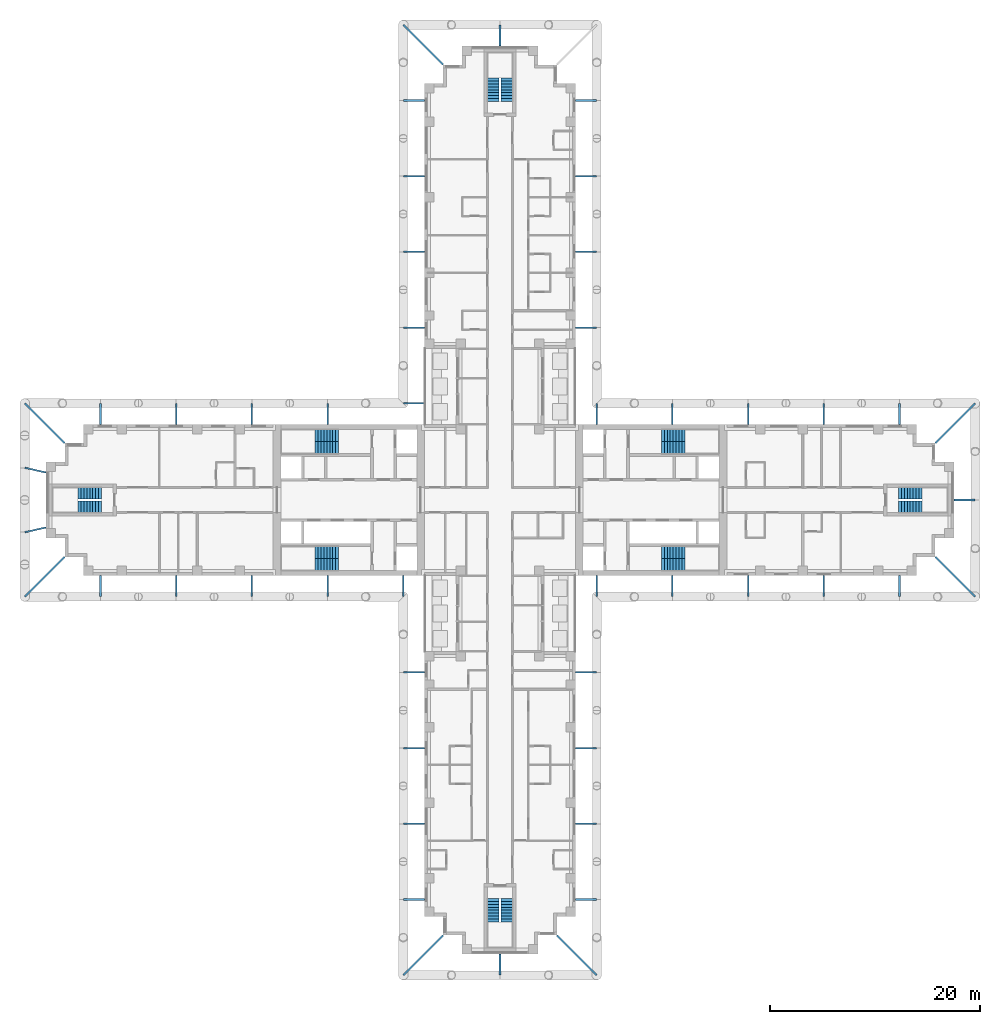
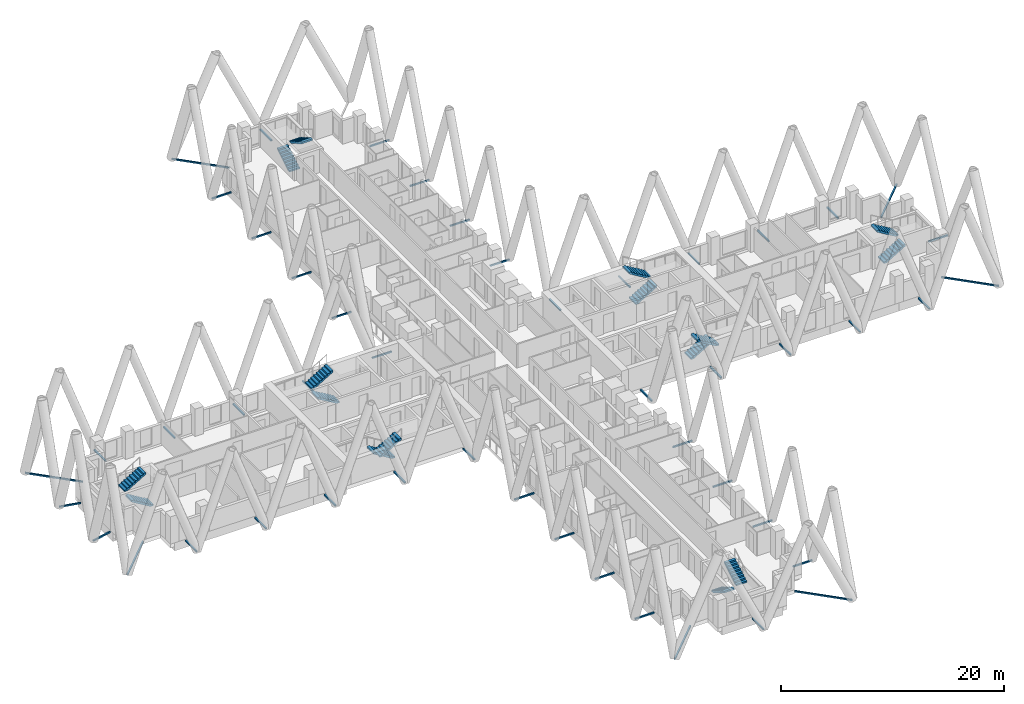
# One storey, part 14 of 17: 48 discrete accessories, 16 stair flights, 8 elements without a shape of their own.
"""IFC4 building model written with IfcOpenShell, lengths in metres."""

from ifc_helpers import new_model, si_unit, direction, frame, origin, origin_2d, place, context, subcontext, project, spatial, polyline, hollow_rectangle, outline, extrude, material, type_object, element, aggregate, save


model = new_model("IFC4")

# Units and contexts
model_context = context("Model", 3, precision=1e-05, world=origin(), true_north=direction((0.0, 1.0)))
body_context = subcontext(model_context, "Body", "Model", "MODEL_VIEW")
ifc_project = project(units=[si_unit("LENGTHUNIT", "METRE"), si_unit("AREAUNIT", "SQUARE_METRE"), si_unit("VOLUMEUNIT", "CUBIC_METRE"), si_unit("PLANEANGLEUNIT", "RADIAN"), si_unit("MASSUNIT", "GRAM", prefix="KILO")], contexts=[model_context])

# Site, building, storey
site_placement = place(None, origin())
site = spatial("IfcSite", under=ifc_project, at=site_placement, CompositionType="ELEMENT")
building_placement = place(site_placement, origin())
building = spatial("IfcBuilding", under=site, at=building_placement, Name="Fustian Cross Tower", CompositionType="ELEMENT")
storey_placement = place(building_placement, frame((0.0, 0.0, 56.699951171875)))
storey = spatial("IfcBuildingStorey", under=building, at=storey_placement, Name="L17", CompositionType="ELEMENT", Elevation=56.699951171875)

# Stair, stair flights
ifc_material_1 = material(Name="Concrete C50/60", Category="concrete")
stair_type_1 = type_object("IfcStairType", Name="STAIR 1100 HALF TURN", PredefinedType="HALF_TURN_STAIR", material=ifc_material_1)
stair_1_placement = place(storey_placement, origin())
stair_1 = element("IfcStair", 1, at=stair_1_placement, inside=storey, type_object=stair_type_1, Name="Stair ST5", PredefinedType="HALF_TURN_STAIR")
ifc_material_2 = material(Name="Concrete C50/60", Category="concrete")
stair_flight_type_1 = type_object("IfcStairFlightType", Name="STAIR FLIGHT 1100", PredefinedType="STRAIGHT", material=ifc_material_2)
stair_flight_1_placement = place(storey_placement, frame((-0.64990234375, 37.89990234375, 0.0), z_axis=(0.0, 0.0, 1.0), x_axis=(0.0, 1.0, 0.0)))
stair_flight_1 = element("IfcStairFlight", 2, at=stair_flight_1_placement, type_object=stair_flight_type_1, Name="ST5 flight 1", NumberOfRisers=9, NumberOfTreads=8, PredefinedType="STRAIGHT", RiserHeight=0.166666667, TreadLength=0.28, context=body_context, shape_type="SweptSolid", body=[
    extrude(outline(polyline([(0.0, 0.0), (0.0, 0.166748046875), (0.280029296875, 0.166748046875), (0.280029296875, 0.333251953125), (0.56005859375, 0.333251953125), (0.56005859375, 0.5), (0.840087890625, 0.5), (0.840087890625, 0.666748046875), (1.1201171875, 0.666748046875), (1.1201171875, 0.833251953125), (1.39990234375, 0.833251953125), (1.39990234375, 1.0), (1.679931640625, 1.0), (1.679931640625, 1.166748046875), (1.9599609375, 1.166748046875), (1.9599609375, 1.333251953125), (2.239990234375, 1.333251953125), (2.239990234375, 1.5), (2.239990234375, 1.158935546875), (0.29296875, 0.0), (0.0, 0.0)])), frame((0.0, 0.550048828125, 0.0), z_axis=(0.0, -1.0, 0.0), x_axis=(1.0, 0.0, 0.0)), (0.0, 0.0, 1.0), 1.10009765625),
])
stair_flight_2_placement = place(storey_placement, frame((0.64990234375, 40.139892578125, 1.5), z_axis=(0.0, 0.0, 1.0), x_axis=(0.0, -1.0, 0.0)))
stair_flight_2 = element("IfcStairFlight", 3, at=stair_flight_2_placement, type_object=stair_flight_type_1, Name="ST5 flight 2", NumberOfRisers=9, NumberOfTreads=8, PredefinedType="STRAIGHT", RiserHeight=0.166666667, TreadLength=0.28, context=body_context, shape_type="SweptSolid", body=[
    extrude(outline(polyline([(0.0, 0.0), (0.0, 0.166748046875), (0.280029296875, 0.166748046875), (0.280029296875, 0.333251953125), (0.56005859375, 0.333251953125), (0.56005859375, 0.5), (0.840087890625, 0.5), (0.840087890625, 0.666748046875), (1.1201171875, 0.666748046875), (1.1201171875, 0.833251953125), (1.39990234375, 0.833251953125), (1.39990234375, 1.0), (1.679931640625, 1.0), (1.679931640625, 1.166748046875), (1.9599609375, 1.166748046875), (1.9599609375, 1.333251953125), (2.239990234375, 1.333251953125), (2.239990234375, 1.5), (2.239990234375, 1.158935546875), (0.29296875, 0.0), (0.0, 0.0)])), frame((0.0, 0.550048828125, 0.0), z_axis=(0.0, -1.0, 0.0), x_axis=(1.0, 0.0, 0.0)), (0.0, 0.0, 1.0), 1.10009765625),
])
aggregate(stair_1, [stair_flight_1, stair_flight_2])

stair_2_placement = place(storey_placement, origin())
stair_2 = element("IfcStair", 4, at=stair_2_placement, inside=storey, type_object=stair_type_1, Name="Stair ST6", PredefinedType="HALF_TURN_STAIR")
stair_flight_3_placement = place(storey_placement, frame((-0.64990234375, -37.89990234375, 0.0), z_axis=(0.0, 0.0, 1.0), x_axis=(0.0, -1.0, 0.0)))
stair_flight_3 = element("IfcStairFlight", 5, at=stair_flight_3_placement, type_object=stair_flight_type_1, Name="ST6 flight 1", NumberOfRisers=9, NumberOfTreads=8, PredefinedType="STRAIGHT", RiserHeight=0.166666667, TreadLength=0.28, context=body_context, shape_type="SweptSolid", body=[
    extrude(outline(polyline([(0.0, 0.0), (0.0, 0.166748046875), (0.280029296875, 0.166748046875), (0.280029296875, 0.333251953125), (0.56005859375, 0.333251953125), (0.56005859375, 0.5), (0.840087890625, 0.5), (0.840087890625, 0.666748046875), (1.1201171875, 0.666748046875), (1.1201171875, 0.833251953125), (1.39990234375, 0.833251953125), (1.39990234375, 1.0), (1.679931640625, 1.0), (1.679931640625, 1.166748046875), (1.9599609375, 1.166748046875), (1.9599609375, 1.333251953125), (2.239990234375, 1.333251953125), (2.239990234375, 1.5), (2.239990234375, 1.158935546875), (0.29296875, 0.0), (0.0, 0.0)])), frame((0.0, 0.550048828125, 0.0), z_axis=(0.0, -1.0, 0.0), x_axis=(1.0, 0.0, 0.0)), (0.0, 0.0, 1.0), 1.10009765625),
])
stair_flight_4_placement = place(storey_placement, frame((0.64990234375, -40.139892578125, 1.5), z_axis=(0.0, 0.0, 1.0), x_axis=(0.0, 1.0, 0.0)))
stair_flight_4 = element("IfcStairFlight", 6, at=stair_flight_4_placement, type_object=stair_flight_type_1, Name="ST6 flight 2", NumberOfRisers=9, NumberOfTreads=8, PredefinedType="STRAIGHT", RiserHeight=0.166666667, TreadLength=0.28, context=body_context, shape_type="SweptSolid", body=[
    extrude(outline(polyline([(0.0, 0.0), (0.0, 0.166748046875), (0.280029296875, 0.166748046875), (0.280029296875, 0.333251953125), (0.56005859375, 0.333251953125), (0.56005859375, 0.5), (0.840087890625, 0.5), (0.840087890625, 0.666748046875), (1.1201171875, 0.666748046875), (1.1201171875, 0.833251953125), (1.39990234375, 0.833251953125), (1.39990234375, 1.0), (1.679931640625, 1.0), (1.679931640625, 1.166748046875), (1.9599609375, 1.166748046875), (1.9599609375, 1.333251953125), (2.239990234375, 1.333251953125), (2.239990234375, 1.5), (2.239990234375, 1.158935546875), (0.29296875, 0.0), (0.0, 0.0)])), frame((0.0, 0.550048828125, 0.0), z_axis=(0.0, -1.0, 0.0), x_axis=(1.0, 0.0, 0.0)), (0.0, 0.0, 1.0), 1.10009765625),
])
aggregate(stair_2, [stair_flight_3, stair_flight_4])

stair_3_placement = place(storey_placement, origin())
stair_3 = element("IfcStair", 7, at=stair_3_placement, inside=storey, type_object=stair_type_1, Name="Stair ST8", PredefinedType="HALF_TURN_STAIR")
stair_flight_5_placement = place(storey_placement, frame((37.89990234375, -0.64990234375, 0.0), z_axis=(0.0, 0.0, 1.0), x_axis=(1.0, 0.0, 0.0)))
stair_flight_5 = element("IfcStairFlight", 8, at=stair_flight_5_placement, type_object=stair_flight_type_1, Name="ST8 flight 1", NumberOfRisers=9, NumberOfTreads=8, PredefinedType="STRAIGHT", RiserHeight=0.166666667, TreadLength=0.28, context=body_context, shape_type="SweptSolid", body=[
    extrude(outline(polyline([(0.0, 0.0), (0.0, 0.166748046875), (0.280029296875, 0.166748046875), (0.280029296875, 0.333251953125), (0.56005859375, 0.333251953125), (0.56005859375, 0.5), (0.840087890625, 0.5), (0.840087890625, 0.666748046875), (1.1201171875, 0.666748046875), (1.1201171875, 0.833251953125), (1.39990234375, 0.833251953125), (1.39990234375, 1.0), (1.679931640625, 1.0), (1.679931640625, 1.166748046875), (1.9599609375, 1.166748046875), (1.9599609375, 1.333251953125), (2.239990234375, 1.333251953125), (2.239990234375, 1.5), (2.239990234375, 1.158935546875), (0.29296875, 0.0), (0.0, 0.0)])), frame((0.0, 0.550048828125, 0.0), z_axis=(0.0, -1.0, 0.0), x_axis=(1.0, 0.0, 0.0)), (0.0, 0.0, 1.0), 1.10009765625),
])
stair_flight_6_placement = place(storey_placement, frame((40.139892578125, 0.64990234375, 1.5), z_axis=(0.0, 0.0, 1.0), x_axis=(-1.0, 0.0, 0.0)))
stair_flight_6 = element("IfcStairFlight", 9, at=stair_flight_6_placement, type_object=stair_flight_type_1, Name="ST8 flight 2", NumberOfRisers=9, NumberOfTreads=8, PredefinedType="STRAIGHT", RiserHeight=0.166666667, TreadLength=0.28, context=body_context, shape_type="SweptSolid", body=[
    extrude(outline(polyline([(0.0, 0.0), (0.0, 0.166748046875), (0.280029296875, 0.166748046875), (0.280029296875, 0.333251953125), (0.56005859375, 0.333251953125), (0.56005859375, 0.5), (0.840087890625, 0.5), (0.840087890625, 0.666748046875), (1.1201171875, 0.666748046875), (1.1201171875, 0.833251953125), (1.39990234375, 0.833251953125), (1.39990234375, 1.0), (1.679931640625, 1.0), (1.679931640625, 1.166748046875), (1.9599609375, 1.166748046875), (1.9599609375, 1.333251953125), (2.239990234375, 1.333251953125), (2.239990234375, 1.5), (2.239990234375, 1.158935546875), (0.29296875, 0.0), (0.0, 0.0)])), frame((0.0, 0.550048828125, 0.0), z_axis=(0.0, -1.0, 0.0), x_axis=(1.0, 0.0, 0.0)), (0.0, 0.0, 1.0), 1.10009765625),
])
aggregate(stair_3, [stair_flight_5, stair_flight_6])

stair_4_placement = place(storey_placement, origin())
stair_4 = element("IfcStair", 10, at=stair_4_placement, inside=storey, type_object=stair_type_1, Name="Stair ST9", PredefinedType="HALF_TURN_STAIR")
stair_flight_7_placement = place(storey_placement, frame((-37.89990234375, -0.64990234375, 0.0), z_axis=(0.0, 0.0, 1.0), x_axis=(-1.0, 0.0, 0.0)))
stair_flight_7 = element("IfcStairFlight", 11, at=stair_flight_7_placement, type_object=stair_flight_type_1, Name="ST9 flight 1", NumberOfRisers=9, NumberOfTreads=8, PredefinedType="STRAIGHT", RiserHeight=0.166666667, TreadLength=0.28, context=body_context, shape_type="SweptSolid", body=[
    extrude(outline(polyline([(0.0, 0.0), (0.0, 0.166748046875), (0.280029296875, 0.166748046875), (0.280029296875, 0.333251953125), (0.56005859375, 0.333251953125), (0.56005859375, 0.5), (0.840087890625, 0.5), (0.840087890625, 0.666748046875), (1.1201171875, 0.666748046875), (1.1201171875, 0.833251953125), (1.39990234375, 0.833251953125), (1.39990234375, 1.0), (1.679931640625, 1.0), (1.679931640625, 1.166748046875), (1.9599609375, 1.166748046875), (1.9599609375, 1.333251953125), (2.239990234375, 1.333251953125), (2.239990234375, 1.5), (2.239990234375, 1.158935546875), (0.29296875, 0.0), (0.0, 0.0)])), frame((0.0, 0.550048828125, 0.0), z_axis=(0.0, -1.0, 0.0), x_axis=(1.0, 0.0, 0.0)), (0.0, 0.0, 1.0), 1.10009765625),
])
stair_flight_8_placement = place(storey_placement, frame((-40.139892578125, 0.64990234375, 1.5), z_axis=(0.0, 0.0, 1.0), x_axis=(1.0, 0.0, 0.0)))
stair_flight_8 = element("IfcStairFlight", 12, at=stair_flight_8_placement, type_object=stair_flight_type_1, Name="ST9 flight 2", NumberOfRisers=9, NumberOfTreads=8, PredefinedType="STRAIGHT", RiserHeight=0.166666667, TreadLength=0.28, context=body_context, shape_type="SweptSolid", body=[
    extrude(outline(polyline([(0.0, 0.0), (0.0, 0.166748046875), (0.280029296875, 0.166748046875), (0.280029296875, 0.333251953125), (0.56005859375, 0.333251953125), (0.56005859375, 0.5), (0.840087890625, 0.5), (0.840087890625, 0.666748046875), (1.1201171875, 0.666748046875), (1.1201171875, 0.833251953125), (1.39990234375, 0.833251953125), (1.39990234375, 1.0), (1.679931640625, 1.0), (1.679931640625, 1.166748046875), (1.9599609375, 1.166748046875), (1.9599609375, 1.333251953125), (2.239990234375, 1.333251953125), (2.239990234375, 1.5), (2.239990234375, 1.158935546875), (0.29296875, 0.0), (0.0, 0.0)])), frame((0.0, 0.550048828125, 0.0), z_axis=(0.0, -1.0, 0.0), x_axis=(1.0, 0.0, 0.0)), (0.0, 0.0, 1.0), 1.10009765625),
])
aggregate(stair_4, [stair_flight_7, stair_flight_8])

ifc_material_3 = material(Name="Concrete C50/60", Category="concrete")
stair_type_2 = type_object("IfcStairType", Name="STAIR 1150 HALF TURN", PredefinedType="HALF_TURN_STAIR", material=ifc_material_3)
stair_5_placement = place(storey_placement, origin())
stair_5 = element("IfcStair", 13, at=stair_5_placement, inside=storey, type_object=stair_type_2, Name="Stair ST1", PredefinedType="HALF_TURN_STAIR")
ifc_material_4 = material(Name="Concrete C50/60", Category="concrete")
stair_flight_type_2 = type_object("IfcStairFlightType", Name="STAIR FLIGHT 1150", PredefinedType="STRAIGHT", material=ifc_material_4)
stair_flight_9_placement = place(storey_placement, frame((15.35009765625, 4.97509765625, 0.0), z_axis=(0.0, 0.0, 1.0), x_axis=(1.0, 0.0, 0.0)))
stair_flight_9 = element("IfcStairFlight", 14, at=stair_flight_9_placement, type_object=stair_flight_type_2, Name="ST1 flight 1", NumberOfRisers=9, NumberOfTreads=8, PredefinedType="STRAIGHT", RiserHeight=0.166666667, TreadLength=0.28, context=body_context, shape_type="SweptSolid", body=[
    extrude(outline(polyline([(0.0, 0.0), (0.0, 0.166748046875), (0.280029296875, 0.166748046875), (0.280029296875, 0.333251953125), (0.56005859375, 0.333251953125), (0.56005859375, 0.5), (0.840087890625, 0.5), (0.840087890625, 0.666748046875), (1.1201171875, 0.666748046875), (1.1201171875, 0.833251953125), (1.39990234375, 0.833251953125), (1.39990234375, 1.0), (1.679931640625, 1.0), (1.679931640625, 1.166748046875), (1.9599609375, 1.166748046875), (1.9599609375, 1.333251953125), (2.239990234375, 1.333251953125), (2.239990234375, 1.5), (2.239990234375, 1.158935546875), (0.29296875, 0.0), (0.0, 0.0)])), frame((0.0, 0.574951171875, 0.0), z_axis=(0.0, -1.0, 0.0), x_axis=(1.0, 0.0, 0.0)), (0.0, 0.0, 1.0), 1.14990234375),
])
stair_flight_10_placement = place(storey_placement, frame((17.590087890625, 6.125, 1.5), z_axis=(0.0, 0.0, 1.0), x_axis=(-1.0, 0.0, 0.0)))
stair_flight_10 = element("IfcStairFlight", 15, at=stair_flight_10_placement, type_object=stair_flight_type_2, Name="ST1 flight 2", NumberOfRisers=9, NumberOfTreads=8, PredefinedType="STRAIGHT", RiserHeight=0.166666667, TreadLength=0.28, context=body_context, shape_type="SweptSolid", body=[
    extrude(outline(polyline([(0.0, 0.0), (0.0, 0.166748046875), (0.280029296875, 0.166748046875), (0.280029296875, 0.333251953125), (0.56005859375, 0.333251953125), (0.56005859375, 0.5), (0.840087890625, 0.5), (0.840087890625, 0.666748046875), (1.1201171875, 0.666748046875), (1.1201171875, 0.833251953125), (1.39990234375, 0.833251953125), (1.39990234375, 1.0), (1.679931640625, 1.0), (1.679931640625, 1.166748046875), (1.9599609375, 1.166748046875), (1.9599609375, 1.333251953125), (2.239990234375, 1.333251953125), (2.239990234375, 1.5), (2.239990234375, 1.158935546875), (0.29296875, 0.0), (0.0, 0.0)])), frame((0.0, 0.574951171875, 0.0), z_axis=(0.0, -1.0, 0.0), x_axis=(1.0, 0.0, 0.0)), (0.0, 0.0, 1.0), 1.14990234375),
])
aggregate(stair_5, [stair_flight_9, stair_flight_10])

stair_6_placement = place(storey_placement, origin())
stair_6 = element("IfcStair", 16, at=stair_6_placement, inside=storey, type_object=stair_type_2, Name="Stair ST2", PredefinedType="HALF_TURN_STAIR")
stair_flight_11_placement = place(storey_placement, frame((15.35009765625, -4.97509765625, 0.0), z_axis=(0.0, 0.0, 1.0), x_axis=(1.0, 0.0, 0.0)))
stair_flight_11 = element("IfcStairFlight", 17, at=stair_flight_11_placement, type_object=stair_flight_type_2, Name="ST2 flight 1", NumberOfRisers=9, NumberOfTreads=8, PredefinedType="STRAIGHT", RiserHeight=0.166666667, TreadLength=0.28, context=body_context, shape_type="SweptSolid", body=[
    extrude(outline(polyline([(0.0, 0.0), (0.0, 0.166748046875), (0.280029296875, 0.166748046875), (0.280029296875, 0.333251953125), (0.56005859375, 0.333251953125), (0.56005859375, 0.5), (0.840087890625, 0.5), (0.840087890625, 0.666748046875), (1.1201171875, 0.666748046875), (1.1201171875, 0.833251953125), (1.39990234375, 0.833251953125), (1.39990234375, 1.0), (1.679931640625, 1.0), (1.679931640625, 1.166748046875), (1.9599609375, 1.166748046875), (1.9599609375, 1.333251953125), (2.239990234375, 1.333251953125), (2.239990234375, 1.5), (2.239990234375, 1.158935546875), (0.29296875, 0.0), (0.0, 0.0)])), frame((0.0, 0.574951171875, 0.0), z_axis=(0.0, -1.0, 0.0), x_axis=(1.0, 0.0, 0.0)), (0.0, 0.0, 1.0), 1.14990234375),
])
stair_flight_12_placement = place(storey_placement, frame((17.590087890625, -6.125, 1.5), z_axis=(0.0, 0.0, 1.0), x_axis=(-1.0, 0.0, 0.0)))
stair_flight_12 = element("IfcStairFlight", 18, at=stair_flight_12_placement, type_object=stair_flight_type_2, Name="ST2 flight 2", NumberOfRisers=9, NumberOfTreads=8, PredefinedType="STRAIGHT", RiserHeight=0.166666667, TreadLength=0.28, context=body_context, shape_type="SweptSolid", body=[
    extrude(outline(polyline([(0.0, 0.0), (0.0, 0.166748046875), (0.280029296875, 0.166748046875), (0.280029296875, 0.333251953125), (0.56005859375, 0.333251953125), (0.56005859375, 0.5), (0.840087890625, 0.5), (0.840087890625, 0.666748046875), (1.1201171875, 0.666748046875), (1.1201171875, 0.833251953125), (1.39990234375, 0.833251953125), (1.39990234375, 1.0), (1.679931640625, 1.0), (1.679931640625, 1.166748046875), (1.9599609375, 1.166748046875), (1.9599609375, 1.333251953125), (2.239990234375, 1.333251953125), (2.239990234375, 1.5), (2.239990234375, 1.158935546875), (0.29296875, 0.0), (0.0, 0.0)])), frame((0.0, 0.574951171875, 0.0), z_axis=(0.0, -1.0, 0.0), x_axis=(1.0, 0.0, 0.0)), (0.0, 0.0, 1.0), 1.14990234375),
])
aggregate(stair_6, [stair_flight_11, stair_flight_12])

stair_7_placement = place(storey_placement, origin())
stair_7 = element("IfcStair", 19, at=stair_7_placement, inside=storey, type_object=stair_type_2, Name="Stair ST3", PredefinedType="HALF_TURN_STAIR")
stair_flight_13_placement = place(storey_placement, frame((-15.35009765625, 4.97509765625, 0.0), z_axis=(0.0, 0.0, 1.0), x_axis=(-1.0, 0.0, 0.0)))
stair_flight_13 = element("IfcStairFlight", 20, at=stair_flight_13_placement, type_object=stair_flight_type_2, Name="ST3 flight 1", NumberOfRisers=9, NumberOfTreads=8, PredefinedType="STRAIGHT", RiserHeight=0.166666667, TreadLength=0.28, context=body_context, shape_type="SweptSolid", body=[
    extrude(outline(polyline([(0.0, 0.0), (0.0, 0.166748046875), (0.280029296875, 0.166748046875), (0.280029296875, 0.333251953125), (0.56005859375, 0.333251953125), (0.56005859375, 0.5), (0.840087890625, 0.5), (0.840087890625, 0.666748046875), (1.1201171875, 0.666748046875), (1.1201171875, 0.833251953125), (1.39990234375, 0.833251953125), (1.39990234375, 1.0), (1.679931640625, 1.0), (1.679931640625, 1.166748046875), (1.9599609375, 1.166748046875), (1.9599609375, 1.333251953125), (2.239990234375, 1.333251953125), (2.239990234375, 1.5), (2.239990234375, 1.158935546875), (0.29296875, 0.0), (0.0, 0.0)])), frame((0.0, 0.574951171875, 0.0), z_axis=(0.0, -1.0, 0.0), x_axis=(1.0, 0.0, 0.0)), (0.0, 0.0, 1.0), 1.14990234375),
])
stair_flight_14_placement = place(storey_placement, frame((-17.590087890625, 6.125, 1.5), z_axis=(0.0, 0.0, 1.0), x_axis=(1.0, 0.0, 0.0)))
stair_flight_14 = element("IfcStairFlight", 21, at=stair_flight_14_placement, type_object=stair_flight_type_2, Name="ST3 flight 2", NumberOfRisers=9, NumberOfTreads=8, PredefinedType="STRAIGHT", RiserHeight=0.166666667, TreadLength=0.28, context=body_context, shape_type="SweptSolid", body=[
    extrude(outline(polyline([(0.0, 0.0), (0.0, 0.166748046875), (0.280029296875, 0.166748046875), (0.280029296875, 0.333251953125), (0.56005859375, 0.333251953125), (0.56005859375, 0.5), (0.840087890625, 0.5), (0.840087890625, 0.666748046875), (1.1201171875, 0.666748046875), (1.1201171875, 0.833251953125), (1.39990234375, 0.833251953125), (1.39990234375, 1.0), (1.679931640625, 1.0), (1.679931640625, 1.166748046875), (1.9599609375, 1.166748046875), (1.9599609375, 1.333251953125), (2.239990234375, 1.333251953125), (2.239990234375, 1.5), (2.239990234375, 1.158935546875), (0.29296875, 0.0), (0.0, 0.0)])), frame((0.0, 0.574951171875, 0.0), z_axis=(0.0, -1.0, 0.0), x_axis=(1.0, 0.0, 0.0)), (0.0, 0.0, 1.0), 1.14990234375),
])
aggregate(stair_7, [stair_flight_13, stair_flight_14])

stair_8_placement = place(storey_placement, origin())
stair_8 = element("IfcStair", 22, at=stair_8_placement, inside=storey, type_object=stair_type_2, Name="Stair ST4", PredefinedType="HALF_TURN_STAIR")
stair_flight_15_placement = place(storey_placement, frame((-15.35009765625, -4.97509765625, 0.0), z_axis=(0.0, 0.0, 1.0), x_axis=(-1.0, 0.0, 0.0)))
stair_flight_15 = element("IfcStairFlight", 23, at=stair_flight_15_placement, type_object=stair_flight_type_2, Name="ST4 flight 1", NumberOfRisers=9, NumberOfTreads=8, PredefinedType="STRAIGHT", RiserHeight=0.166666667, TreadLength=0.28, context=body_context, shape_type="SweptSolid", body=[
    extrude(outline(polyline([(0.0, 0.0), (0.0, 0.166748046875), (0.280029296875, 0.166748046875), (0.280029296875, 0.333251953125), (0.56005859375, 0.333251953125), (0.56005859375, 0.5), (0.840087890625, 0.5), (0.840087890625, 0.666748046875), (1.1201171875, 0.666748046875), (1.1201171875, 0.833251953125), (1.39990234375, 0.833251953125), (1.39990234375, 1.0), (1.679931640625, 1.0), (1.679931640625, 1.166748046875), (1.9599609375, 1.166748046875), (1.9599609375, 1.333251953125), (2.239990234375, 1.333251953125), (2.239990234375, 1.5), (2.239990234375, 1.158935546875), (0.29296875, 0.0), (0.0, 0.0)])), frame((0.0, 0.574951171875, 0.0), z_axis=(0.0, -1.0, 0.0), x_axis=(1.0, 0.0, 0.0)), (0.0, 0.0, 1.0), 1.14990234375),
])
stair_flight_16_placement = place(storey_placement, frame((-17.590087890625, -6.125, 1.5), z_axis=(0.0, 0.0, 1.0), x_axis=(1.0, 0.0, 0.0)))
stair_flight_16 = element("IfcStairFlight", 24, at=stair_flight_16_placement, type_object=stair_flight_type_2, Name="ST4 flight 2", NumberOfRisers=9, NumberOfTreads=8, PredefinedType="STRAIGHT", RiserHeight=0.166666667, TreadLength=0.28, context=body_context, shape_type="SweptSolid", body=[
    extrude(outline(polyline([(0.0, 0.0), (0.0, 0.166748046875), (0.280029296875, 0.166748046875), (0.280029296875, 0.333251953125), (0.56005859375, 0.333251953125), (0.56005859375, 0.5), (0.840087890625, 0.5), (0.840087890625, 0.666748046875), (1.1201171875, 0.666748046875), (1.1201171875, 0.833251953125), (1.39990234375, 0.833251953125), (1.39990234375, 1.0), (1.679931640625, 1.0), (1.679931640625, 1.166748046875), (1.9599609375, 1.166748046875), (1.9599609375, 1.333251953125), (2.239990234375, 1.333251953125), (2.239990234375, 1.5), (2.239990234375, 1.158935546875), (0.29296875, 0.0), (0.0, 0.0)])), frame((0.0, 0.574951171875, 0.0), z_axis=(0.0, -1.0, 0.0), x_axis=(1.0, 0.0, 0.0)), (0.0, 0.0, 1.0), 1.14990234375),
])
aggregate(stair_8, [stair_flight_15, stair_flight_16])

# Discrete accessories
ifc_material_5 = material(Name="Steel S355", Category="steel")
discrete_accessory_1_placement = place(storey_placement, frame((45.199951171875, 0.0, -0.14990234375), z_axis=(-1.0, 0.0, 0.0), x_axis=(0.0, -1.0, 0.0)))
element("IfcDiscreteAccessory", 25, at=discrete_accessory_1_placement, inside=storey, material=ifc_material_5, Name="Diagrid node bracket L17-01", PredefinedType="BRACKET", context=body_context, shape_type="SweptSolid", body=[
    extrude(hollow_rectangle(XDim=0.14990234375, YDim=0.14990234375, WallThickness=0.010009765625, at=origin_2d()), origin(), (0.0, 0.0, 1.0), 2.0),
])
discrete_accessory_2_placement = place(storey_placement, frame((45.199951171875, 9.199951171875, -0.14990234375), z_axis=(-0.707106781187, -0.707106781187, 0.0), x_axis=(0.707106781187, -0.707106781187, 0.0)))
element("IfcDiscreteAccessory", 26, at=discrete_accessory_2_placement, inside=storey, material=ifc_material_5, Name="Diagrid node bracket L17-02", PredefinedType="BRACKET", context=body_context, shape_type="SweptSolid", body=[
    extrude(hollow_rectangle(XDim=0.14990234375, YDim=0.14990234375, WallThickness=0.010009765625, at=origin_2d()), origin(), (0.0, 0.0, 1.0), 5.3740234375),
])
for number, where, z_axis, x_axis, name in (
    (27, (38.0, 9.199951171875, -0.14990234375), (0.0, -1.0, 0.0), (1.0, 0.0, 0.0), "Diagrid node bracket L17-03"),
    (28, (30.800048828125, 9.199951171875, -0.14990234375), (0.0, -1.0, 0.0), (1.0, 0.0, 0.0), "Diagrid node bracket L17-04"),
    (29, (23.60009765625, 9.199951171875, -0.14990234375), (0.0, -1.0, 0.0), (1.0, 0.0, 0.0), "Diagrid node bracket L17-05"),
    (30, (16.39990234375, 9.199951171875, -0.14990234375), (0.0, -1.0, 0.0), (1.0, 0.0, 0.0), "Diagrid node bracket L17-06"),
    (31, (9.199951171875, 9.199951171875, -0.14990234375), (0.0, -1.0, 0.0), (1.0, 0.0, 0.0), "Diagrid node bracket L17-07"),
    (32, (9.199951171875, 16.39990234375, -0.14990234375), (-1.0, 0.0, 0.0), (0.0, -1.0, 0.0), "Diagrid node bracket L17-08"),
    (33, (9.199951171875, 23.60009765625, -0.14990234375), (-1.0, 0.0, 0.0), (0.0, -1.0, 0.0), "Diagrid node bracket L17-09"),
    (34, (9.199951171875, 30.800048828125, -0.14990234375), (-1.0, 0.0, 0.0), (0.0, -1.0, 0.0), "Diagrid node bracket L17-10"),
    (35, (9.199951171875, 38.0, -0.14990234375), (-1.0, 0.0, 0.0), (0.0, -1.0, 0.0), "Diagrid node bracket L17-11"),
    (36, (0.0, 45.199951171875, -0.14990234375), (0.0, -1.0, 0.0), (1.0, 0.0, 0.0), "Diagrid node bracket L17-13"),
):
    element("IfcDiscreteAccessory", number, at=place(storey_placement, frame(where, z_axis=z_axis, x_axis=x_axis)), inside=storey, material=ifc_material_5, Name=name, PredefinedType="BRACKET", context=body_context, shape_type="SweptSolid", body=[
        extrude(hollow_rectangle(XDim=0.14990234375, YDim=0.14990234375, WallThickness=0.010009765625, at=origin_2d()), origin(), (0.0, 0.0, 1.0), 2.0),
    ])
discrete_accessory_3_placement = place(storey_placement, frame((-9.199951171875, 45.199951171875, -0.14990234375), z_axis=(0.707106781187, -0.707106781187, 0.0), x_axis=(0.707106781187, 0.707106781187, 0.0)))
element("IfcDiscreteAccessory", 37, at=discrete_accessory_3_placement, inside=storey, material=ifc_material_5, Name="Diagrid node bracket L17-14", PredefinedType="BRACKET", context=body_context, shape_type="SweptSolid", body=[
    extrude(hollow_rectangle(XDim=0.14990234375, YDim=0.14990234375, WallThickness=0.010009765625, at=origin_2d()), origin(), (0.0, 0.0, 1.0), 5.3740234375),
])
for number, where, z_axis, x_axis, name in (
    (38, (-9.199951171875, 38.0, -0.14990234375), (1.0, 0.0, 0.0), (0.0, 1.0, 0.0), "Diagrid node bracket L17-15"),
    (39, (-9.199951171875, 30.800048828125, -0.14990234375), (1.0, 0.0, 0.0), (0.0, 1.0, 0.0), "Diagrid node bracket L17-16"),
    (40, (-9.199951171875, 23.60009765625, -0.14990234375), (1.0, 0.0, 0.0), (0.0, 1.0, 0.0), "Diagrid node bracket L17-17"),
    (41, (-9.199951171875, 16.39990234375, -0.14990234375), (1.0, 0.0, 0.0), (0.0, 1.0, 0.0), "Diagrid node bracket L17-18"),
    (42, (-9.199951171875, 9.199951171875, -0.14990234375), (1.0, 0.0, 0.0), (0.0, 1.0, 0.0), "Diagrid node bracket L17-19"),
    (43, (-16.39990234375, 9.199951171875, -0.14990234375), (0.0, -1.0, 0.0), (1.0, 0.0, 0.0), "Diagrid node bracket L17-20"),
    (44, (-23.60009765625, 9.199951171875, -0.14990234375), (0.0, -1.0, 0.0), (1.0, 0.0, 0.0), "Diagrid node bracket L17-21"),
    (45, (-30.800048828125, 9.199951171875, -0.14990234375), (0.0, -1.0, 0.0), (1.0, 0.0, 0.0), "Diagrid node bracket L17-22"),
    (46, (-38.0, 9.199951171875, -0.14990234375), (0.0, -1.0, 0.0), (1.0, 0.0, 0.0), "Diagrid node bracket L17-23"),
):
    element("IfcDiscreteAccessory", number, at=place(storey_placement, frame(where, z_axis=z_axis, x_axis=x_axis)), inside=storey, material=ifc_material_5, Name=name, PredefinedType="BRACKET", context=body_context, shape_type="SweptSolid", body=[
        extrude(hollow_rectangle(XDim=0.14990234375, YDim=0.14990234375, WallThickness=0.010009765625, at=origin_2d()), origin(), (0.0, 0.0, 1.0), 2.0),
    ])
discrete_accessory_4_placement = place(storey_placement, frame((-45.199951171875, 9.199951171875, -0.14990234375), z_axis=(0.707106781187, -0.707106781187, 0.0), x_axis=(0.707106781187, 0.707106781187, 0.0)))
element("IfcDiscreteAccessory", 47, at=discrete_accessory_4_placement, inside=storey, material=ifc_material_5, Name="Diagrid node bracket L17-24", PredefinedType="BRACKET", context=body_context, shape_type="SweptSolid", body=[
    extrude(hollow_rectangle(XDim=0.14990234375, YDim=0.14990234375, WallThickness=0.010009765625, at=origin_2d()), origin(), (0.0, 0.0, 1.0), 5.3740234375),
])
for number, where, z_axis, x_axis, name in (
    (48, (-45.199951171875, 3.066650390625, -0.14990234375), (0.97561485681, -0.21948952406, 0.0), (0.21948952406, 0.97561485681, 0.0), "Diagrid node bracket L17-25"),
    (49, (-45.199951171875, -3.066650390625, -0.14990234375), (0.97561485681, 0.21948952406, 0.0), (-0.21948952406, 0.97561485681, 0.0), "Diagrid node bracket L17-26"),
):
    element("IfcDiscreteAccessory", number, at=place(storey_placement, frame(where, z_axis=z_axis, x_axis=x_axis)), inside=storey, material=ifc_material_5, Name=name, PredefinedType="BRACKET", context=body_context, shape_type="SweptSolid", body=[
        extrude(hollow_rectangle(XDim=0.14990234375, YDim=0.14990234375, WallThickness=0.010009765625, at=origin_2d()), origin(), (0.0, 0.0, 1.0), 2.050048828125),
    ])
discrete_accessory_5_placement = place(storey_placement, frame((-45.199951171875, -9.199951171875, -0.14990234375), z_axis=(0.707106781187, 0.707106781187, 0.0), x_axis=(-0.707106781187, 0.707106781187, 0.0)))
element("IfcDiscreteAccessory", 50, at=discrete_accessory_5_placement, inside=storey, material=ifc_material_5, Name="Diagrid node bracket L17-27", PredefinedType="BRACKET", context=body_context, shape_type="SweptSolid", body=[
    extrude(hollow_rectangle(XDim=0.14990234375, YDim=0.14990234375, WallThickness=0.010009765625, at=origin_2d()), origin(), (0.0, 0.0, 1.0), 5.3740234375),
])
for number, where, z_axis, x_axis, name in (
    (51, (-38.0, -9.199951171875, -0.14990234375), (0.0, 1.0, 0.0), (-1.0, 0.0, 0.0), "Diagrid node bracket L17-28"),
    (52, (-30.800048828125, -9.199951171875, -0.14990234375), (0.0, 1.0, 0.0), (-1.0, 0.0, 0.0), "Diagrid node bracket L17-29"),
    (53, (-23.60009765625, -9.199951171875, -0.14990234375), (0.0, 1.0, 0.0), (-1.0, 0.0, 0.0), "Diagrid node bracket L17-30"),
    (54, (-16.39990234375, -9.199951171875, -0.14990234375), (0.0, 1.0, 0.0), (-1.0, 0.0, 0.0), "Diagrid node bracket L17-31"),
    (55, (-9.199951171875, -9.199951171875, -0.14990234375), (0.0, 1.0, 0.0), (-1.0, 0.0, 0.0), "Diagrid node bracket L17-32"),
    (56, (-9.199951171875, -16.39990234375, -0.14990234375), (1.0, 0.0, 0.0), (0.0, 1.0, 0.0), "Diagrid node bracket L17-33"),
    (57, (-9.199951171875, -23.60009765625, -0.14990234375), (1.0, 0.0, 0.0), (0.0, 1.0, 0.0), "Diagrid node bracket L17-34"),
    (58, (-9.199951171875, -30.800048828125, -0.14990234375), (1.0, 0.0, 0.0), (0.0, 1.0, 0.0), "Diagrid node bracket L17-35"),
    (59, (-9.199951171875, -38.0, -0.14990234375), (1.0, 0.0, 0.0), (0.0, 1.0, 0.0), "Diagrid node bracket L17-36"),
):
    element("IfcDiscreteAccessory", number, at=place(storey_placement, frame(where, z_axis=z_axis, x_axis=x_axis)), inside=storey, material=ifc_material_5, Name=name, PredefinedType="BRACKET", context=body_context, shape_type="SweptSolid", body=[
        extrude(hollow_rectangle(XDim=0.14990234375, YDim=0.14990234375, WallThickness=0.010009765625, at=origin_2d()), origin(), (0.0, 0.0, 1.0), 2.0),
    ])
discrete_accessory_6_placement = place(storey_placement, frame((-9.199951171875, -45.199951171875, -0.14990234375), z_axis=(0.707106781187, 0.707106781187, 0.0), x_axis=(-0.707106781187, 0.707106781187, 0.0)))
element("IfcDiscreteAccessory", 60, at=discrete_accessory_6_placement, inside=storey, material=ifc_material_5, Name="Diagrid node bracket L17-37", PredefinedType="BRACKET", context=body_context, shape_type="SweptSolid", body=[
    extrude(hollow_rectangle(XDim=0.14990234375, YDim=0.14990234375, WallThickness=0.010009765625, at=origin_2d()), origin(), (0.0, 0.0, 1.0), 5.3740234375),
])
discrete_accessory_7_placement = place(storey_placement, frame((0.0, -45.199951171875, -0.14990234375), z_axis=(0.0, 1.0, 0.0), x_axis=(-1.0, 0.0, 0.0)))
element("IfcDiscreteAccessory", 61, at=discrete_accessory_7_placement, inside=storey, material=ifc_material_5, Name="Diagrid node bracket L17-38", PredefinedType="BRACKET", context=body_context, shape_type="SweptSolid", body=[
    extrude(hollow_rectangle(XDim=0.14990234375, YDim=0.14990234375, WallThickness=0.010009765625, at=origin_2d()), origin(), (0.0, 0.0, 1.0), 2.0),
])
discrete_accessory_8_placement = place(storey_placement, frame((9.199951171875, -45.199951171875, -0.14990234375), z_axis=(-0.707106781187, 0.707106781187, 0.0), x_axis=(-0.707106781187, -0.707106781187, 0.0)))
element("IfcDiscreteAccessory", 62, at=discrete_accessory_8_placement, inside=storey, material=ifc_material_5, Name="Diagrid node bracket L17-39", PredefinedType="BRACKET", context=body_context, shape_type="SweptSolid", body=[
    extrude(hollow_rectangle(XDim=0.14990234375, YDim=0.14990234375, WallThickness=0.010009765625, at=origin_2d()), origin(), (0.0, 0.0, 1.0), 5.3740234375),
])
for number, where, z_axis, x_axis, name in (
    (63, (9.199951171875, -38.0, -0.14990234375), (-1.0, 0.0, 0.0), (0.0, -1.0, 0.0), "Diagrid node bracket L17-40"),
    (64, (9.199951171875, -30.800048828125, -0.14990234375), (-1.0, 0.0, 0.0), (0.0, -1.0, 0.0), "Diagrid node bracket L17-41"),
    (65, (9.199951171875, -23.60009765625, -0.14990234375), (-1.0, 0.0, 0.0), (0.0, -1.0, 0.0), "Diagrid node bracket L17-42"),
    (66, (9.199951171875, -16.39990234375, -0.14990234375), (-1.0, 0.0, 0.0), (0.0, -1.0, 0.0), "Diagrid node bracket L17-43"),
    (67, (9.199951171875, -9.199951171875, -0.14990234375), (0.0, 1.0, 0.0), (-1.0, 0.0, 0.0), "Diagrid node bracket L17-44"),
    (68, (16.39990234375, -9.199951171875, -0.14990234375), (0.0, 1.0, 0.0), (-1.0, 0.0, 0.0), "Diagrid node bracket L17-45"),
    (69, (23.60009765625, -9.199951171875, -0.14990234375), (0.0, 1.0, 0.0), (-1.0, 0.0, 0.0), "Diagrid node bracket L17-46"),
    (70, (30.800048828125, -9.199951171875, -0.14990234375), (0.0, 1.0, 0.0), (-1.0, 0.0, 0.0), "Diagrid node bracket L17-47"),
    (71, (38.0, -9.199951171875, -0.14990234375), (0.0, 1.0, 0.0), (-1.0, 0.0, 0.0), "Diagrid node bracket L17-48"),
):
    element("IfcDiscreteAccessory", number, at=place(storey_placement, frame(where, z_axis=z_axis, x_axis=x_axis)), inside=storey, material=ifc_material_5, Name=name, PredefinedType="BRACKET", context=body_context, shape_type="SweptSolid", body=[
        extrude(hollow_rectangle(XDim=0.14990234375, YDim=0.14990234375, WallThickness=0.010009765625, at=origin_2d()), origin(), (0.0, 0.0, 1.0), 2.0),
    ])
discrete_accessory_9_placement = place(storey_placement, frame((45.199951171875, -9.199951171875, -0.14990234375), z_axis=(-0.707106781187, 0.707106781187, 0.0), x_axis=(-0.707106781187, -0.707106781187, 0.0)))
element("IfcDiscreteAccessory", 72, at=discrete_accessory_9_placement, inside=storey, material=ifc_material_5, Name="Diagrid node bracket L17-49", PredefinedType="BRACKET", context=body_context, shape_type="SweptSolid", body=[
    extrude(hollow_rectangle(XDim=0.14990234375, YDim=0.14990234375, WallThickness=0.010009765625, at=origin_2d()), origin(), (0.0, 0.0, 1.0), 5.3740234375),
])

save(model, "model.ifc")
